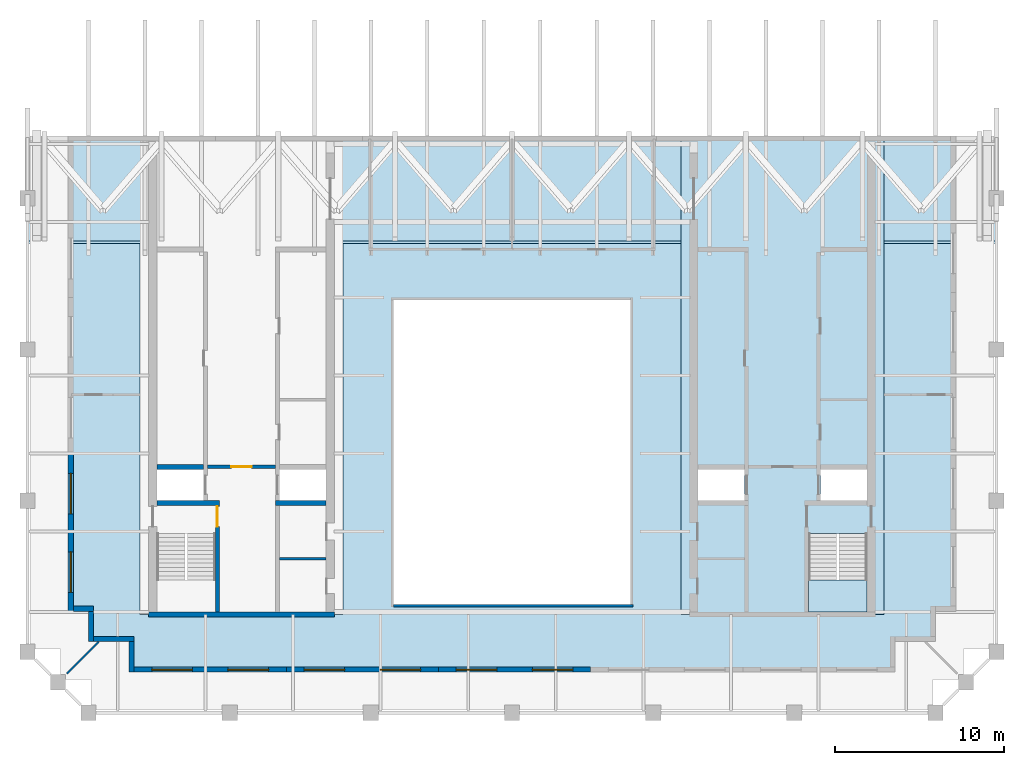
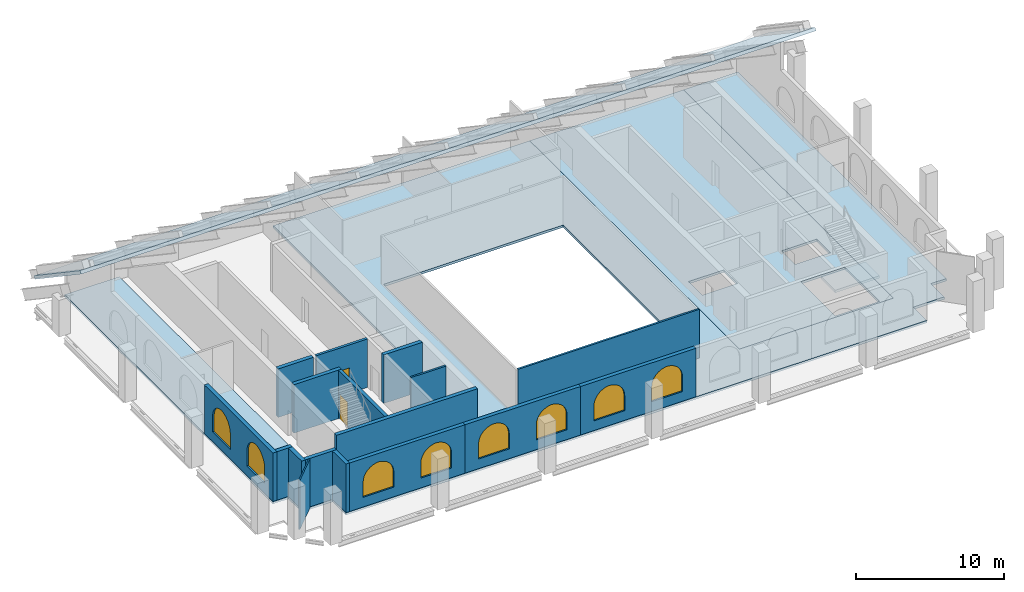
# One storey, part 2 of 6: 17 walls, 8 windows, 4 slabs, 2 doors, 10 openings, 1 element without a shape of its own.
"""IFC4 building model written with IfcOpenShell, lengths in metres."""

from ifc_helpers import new_model, si_unit, direction, frame, frame_2d, origin, place, context, subcontext, project, spatial, polyline, rectangle, outline, extrude, material, layer, layer_set, type_object, element, fill, aggregate, save


model = new_model("IFC4")

# Units and contexts
model_context = context("Model", 3, precision=1e-05, world=origin(), true_north=direction((0.0, 1.0)))
body_context = subcontext(model_context, "Body", "Model", "MODEL_VIEW")
ifc_project = project(units=[si_unit("LENGTHUNIT", "METRE"), si_unit("AREAUNIT", "SQUARE_METRE"), si_unit("VOLUMEUNIT", "CUBIC_METRE"), si_unit("PLANEANGLEUNIT", "RADIAN"), si_unit("MASSUNIT", "GRAM", prefix="KILO")], contexts=[model_context])

# Site, building, storey
site_placement = place(None, origin())
site = spatial("IfcSite", under=ifc_project, at=site_placement, CompositionType="ELEMENT")
building_placement = place(site_placement, origin())
building = spatial("IfcBuilding", under=site, at=building_placement, Name="Ogive Exchange Tower", CompositionType="ELEMENT")
storey_placement = place(building_placement, frame((0.0, 0.0, 390.0)))
storey = spatial("IfcBuildingStorey", under=building, at=storey_placement, Name="C06", CompositionType="ELEMENT", Elevation=390.0)

# Slabs
ifc_material_1 = material(Name="Concrete C50/60", Category="concrete")
ifc_layer_1 = layer(ifc_material_1, 0.199951171875)
ifc_layer_set_1 = layer_set([ifc_layer_1], Name="Composite floor slab 200")
slab_type_1 = type_object("IfcSlabType", Name="Composite floor slab 200", PredefinedType="FLOOR", material=ifc_layer_set_1)
slab_1_placement = place(storey_placement, frame((0.0, 0.0, -0.199951171875)))
element("IfcSlab", 1, at=slab_1_placement, inside=storey, type_object=slab_type_1, Name="Composite floor slab", PredefinedType="FLOOR", context=body_context, shape_type="SweptSolid", body=[
    extrude(outline(polyline([(-24.449951171875, -2.39990234375), (-24.449951171875, -2.39990234375), (-26.25, -2.39990234375), (-26.25, 25.720947265625), (-22.0, 25.720947265625), (-22.0, -2.60009765625), (-10.0, -2.60009765625), (-10.0, 25.720947265625), (10.0, 25.720947265625), (10.0, -2.60009765625), (22.0, -2.60009765625), (22.0, 25.720947265625), (26.25, 25.720947265625), (26.25, -2.39990234375), (24.449951171875, -2.39990234375), (24.449951171875, -2.39990234375), (25.050048828125, -2.39990234375), (25.050048828125, -4.199951171875), (24.449951171875, -4.199951171875), (24.449951171875, -4.199951171875), (22.64990234375, -4.199951171875), (22.64990234375, -6.0), (-22.64990234375, -6.0), (-22.64990234375, -4.199951171875), (-24.449951171875, -4.199951171875), (-24.449951171875, -4.199951171875), (-25.050048828125, -4.199951171875), (-25.050048828125, -2.39990234375), (-24.449951171875, -2.39990234375)]), holes=[polyline([(7.0, -2.0), (7.0, 16.0), (-7.0, 16.0), (-7.0, -2.0), (7.0, -2.0)])]), origin(), (0.0, 0.0, 1.0), 0.199951171875),
])
ifc_material_2 = material(Name="Concrete C70/85", Category="concrete")
ifc_layer_2 = layer(ifc_material_2, 0.199951171875)
ifc_layer_set_2 = layer_set([ifc_layer_2], Name="Core floor slab 200")
slab_type_2 = type_object("IfcSlabType", Name="Core floor slab 200", PredefinedType="FLOOR", material=ifc_layer_set_2)
slab_2_placement = place(storey_placement, frame((0.0, 0.0, -0.199951171875)))
element("IfcSlab", 2, at=slab_2_placement, inside=storey, type_object=slab_type_2, Name="Core floor slab", PredefinedType="FLOOR", context=body_context, shape_type="SweptSolid", body=[
    extrude(outline(polyline([(10.0, -2.60009765625), (10.0, 25.720947265625), (22.0, 25.720947265625), (22.0, -2.60009765625), (10.0, -2.60009765625)]), holes=[polyline([(17.550048828125, 2.196044921875), (17.550048828125, -2.449951171875), (21.0, -2.449951171875), (21.0, 2.196044921875), (17.550048828125, 2.196044921875)]), polyline([(11.0, 5.992919921875), (11.0, 4.14990234375), (13.75, 4.14990234375), (13.75, 5.992919921875), (11.0, 5.992919921875)]), polyline([(18.25, 5.992919921875), (18.25, 4.14990234375), (21.0, 4.14990234375), (21.0, 5.992919921875), (18.25, 5.992919921875)])]), origin(), (0.0, 0.0, 1.0), 0.199951171875),
])
ifc_material_3 = material(Name="Precast concrete C40/50", Category="concrete")
ifc_layer_3 = layer(ifc_material_3, 0.25)
ifc_layer_set_3 = layer_set([ifc_layer_3], Name="Crown roof plane 250")
slab_type_3 = type_object("IfcSlabType", Name="Crown roof plane 250", PredefinedType="ROOF", material=ifc_layer_set_3)
slab_3_placement = place(storey_placement, frame((-28.64990234375, 19.494140625, 6.60009765625), z_axis=(0.0, 0.559207654295, 0.829027622808), x_axis=(0.0, 0.829027622808, -0.559207654295)))
element("IfcSlab", 3, at=slab_3_placement, inside=storey, type_object=slab_type_3, Name="Crown roof plane", PredefinedType="ROOF", context=body_context, shape_type="SweptSolid", body=[
    extrude(outline(polyline([(0.0, 0.0), (7.510976075243388, 0.0), (7.510976075243388, -57.2998046875), (0.0, -57.2998046875), (0.0, 0.0)])), origin(), (0.0, 0.0, -1.0), 0.25),
])

# Stair, slab
ifc_material_4 = material(Name="Concrete C40/50", Category="concrete")
stair_type = type_object("IfcStairType", Name="Exit stair 1650 wide", PredefinedType="HALF_TURN_STAIR", material=ifc_material_4)
stair_placement = place(storey_placement, origin())
stair = element("IfcStair", 4, at=stair_placement, inside=storey, type_object=stair_type, Name="C06 exit stair ST3", PredefinedType="HALF_TURN_STAIR")
ifc_layer_4 = layer(ifc_material_4, 0.199951171875)
ifc_layer_set_4 = layer_set([ifc_layer_4], Name="Stair landing 200 slab")
slab_type_4 = type_object("IfcSlabType", Name="Stair landing 200 slab", PredefinedType="LANDING", material=ifc_layer_set_4)
slab_4_placement = place(storey_placement, frame((0.0, 0.0, 1.89990234375)))
slab_4 = element("IfcSlab", 5, at=slab_4_placement, type_object=slab_type_4, Name="ST3 landing 1", PredefinedType="LANDING", context=body_context, shape_type="SweptSolid", body=[
    extrude(outline(polyline([(17.550048828125, -0.550048828125), (17.550048828125, -2.449951171875), (21.0, -2.449951171875), (21.0, -0.550048828125), (17.550048828125, -0.550048828125)])), origin(), (0.0, 0.0, 1.0), 0.2001953125),
])
aggregate(stair, [slab_4])

# Walls
ifc_material_5 = material(Name="Gypsum board partition")
ifc_layer_5 = layer(ifc_material_5, 0.14990234375)
ifc_layer_set_5 = layer_set([ifc_layer_5], Name="Core room partition 150 gypsum")
wall_type_1 = type_object("IfcWallType", Name="Core room partition 150 gypsum", PredefinedType="PARTITIONING", material=ifc_layer_set_5)
wall_1_placement = place(storey_placement, frame((-13.75, 0.699951171875, 0.0), z_axis=(0.0, 0.0, 1.0), x_axis=(1.0, 0.0, 0.0)))
element("IfcWall", 6, at=wall_1_placement, inside=storey, type_object=wall_type_1, Name="W south room partition", PredefinedType="PARTITIONING", context=body_context, shape_type="SweptSolid", body=[
    extrude(rectangle(XDim=2.75, YDim=0.14990234375, at=frame_2d((1.375, 0.0))), origin(), (0.0, 0.0, 1.0), 4.0),
])
ifc_material_6 = material(Name="Fire-resisting glass in steel frame", Category="steel")
ifc_layer_6 = layer(ifc_material_6, 0.14990234375)
ifc_layer_set_6 = layer_set([ifc_layer_6], Name="Fire-rated glazed wall 150")
wall_type_2 = type_object("IfcWallType", Name="Fire-rated glazed wall 150", PredefinedType="STANDARD", material=ifc_layer_set_6)
wall_2_placement = place(storey_placement, frame((7.14990234375, -2.074951171875, 0.0), z_axis=(0.0, 0.0, 1.0), x_axis=(-1.0, 0.0, 0.0)))
element("IfcWall", 7, at=wall_2_placement, inside=storey, type_object=wall_type_2, Name="Nave enclosure wall 4", PredefinedType="STANDARD", context=body_context, shape_type="SweptSolid", body=[
    extrude(rectangle(XDim=14.14990234375, YDim=0.14990234375, at=frame_2d((7.074951171875, 0.0))), origin(), (0.0, 0.0, 1.0), 4.0),
])
ifc_material_7 = material(Name="Laminated safety glass in steel frame", Category="steel")
ifc_layer_7 = layer(ifc_material_7, 0.10009765625)
ifc_layer_set_7 = layer_set([ifc_layer_7], Name="Loggia end screen 100")
wall_type_3 = type_object("IfcWallType", Name="Loggia end screen 100", PredefinedType="STANDARD", material=ifc_layer_set_7)
wall_3_placement = place(storey_placement, frame((-24.449951171875, -4.199951171875, -0.050048828125), z_axis=(0.0, 0.0, 1.0), x_axis=(-0.707106781187, -0.707106781187, 0.0)))
element("IfcWall", 8, at=wall_3_placement, inside=storey, type_object=wall_type_3, Name="Loggia end screen C4", PredefinedType="STANDARD", context=body_context, shape_type="SweptSolid", body=[
    extrude(rectangle(XDim=2.667236328125, YDim=0.10009765625, at=frame_2d((1.33349609375, 0.0))), origin(), (0.0, 0.0, 1.0), 4.050048828125),
])

# Wall, opening, door
ifc_layer_8 = layer(ifc_material_2, 0.199951171875)
ifc_layer_set_8 = layer_set([ifc_layer_8], Name="RC core wall 200 C70/85")
wall_type_4 = type_object("IfcWallType", Name="RC core wall 200 C70/85", PredefinedType="SHEAR", material=ifc_layer_set_8)
wall_4_placement = place(storey_placement, frame((-18.0, 6.142822265625, 0.0), z_axis=(0.0, 0.0, 1.0), x_axis=(1.0, 0.0, 0.0)))
wall_4 = element("IfcWall", 9, at=wall_4_placement, inside=storey, type_object=wall_type_4, Name="W firefighting lobby wall", PredefinedType="SHEAR", context=body_context, shape_type="SweptSolid", body=[
    extrude(rectangle(XDim=4.0, YDim=0.199951171875, at=frame_2d((2.0, 0.0))), origin(), (0.0, 0.0, 1.0), 4.0),
])
opening_1_placement = place(wall_4_placement, frame((1.39990234375, 0.0, 0.0)))
opening_1 = element("IfcOpeningElement", 10, at=opening_1_placement, cuts=wall_4, Name="Opening C06-C06", PredefinedType="OPENING", context=body_context, shape_type="SweptSolid", body=[
    extrude(rectangle(XDim=1.199951171875, YDim=2.10009765625, at=frame_2d((0.60009765625, 1.050048828125))), frame((0.0, 0.10986328125, 0.0), z_axis=(0.0, -1.0, 0.0), x_axis=(1.0, 0.0, 0.0)), (0.0, 0.0, 1.0), 0.219970703125),
])
ifc_material_8 = material(Name="Steel fire door", Category="steel")
door_type_1 = type_object("IfcDoorType", Name="Firefighting lobby door FD60 1200 x 2100", OperationType="NOTDEFINED", PredefinedType="DOOR", material=ifc_material_8)
door_1_placement = place(opening_1_placement, frame((1.199951171875, 0.0, 0.0), z_axis=(0.0, 0.0, 1.0), x_axis=(-1.0, 0.0, 0.0)))
door_1 = element("IfcDoor", 11, at=door_1_placement, inside=storey, type_object=door_type_1, Name="Firefighting lobby door", ObjectType="CD3", OperationType="SINGLE_SWING_RIGHT", OverallHeight=2.10009765625, OverallWidth=1.199951171875, PredefinedType="DOOR", context=body_context, shape_type="SweptSolid", body=[
    extrude(rectangle(XDim=1.199951171875, YDim=2.10009765625, at=frame_2d((0.60009765625, 1.050048828125))), frame((0.0, 0.02490234375, 0.0), z_axis=(0.0, -1.0, 0.0), x_axis=(1.0, 0.0, 0.0)), (0.0, 0.0, 1.0), 0.050048828125),
])
fill(opening_1, door_1)

ifc_layer_9 = layer(ifc_material_2, 0.25)
ifc_layer_set_9 = layer_set([ifc_layer_9], Name="RC core wall 250 C70/85")
wall_type_5 = type_object("IfcWallType", Name="RC core wall 250 C70/85", PredefinedType="SHEAR", material=ifc_layer_set_9)
wall_5_placement = place(storey_placement, frame((-17.425048828125, -2.449951171875, 0.0), z_axis=(0.0, 0.0, 1.0), x_axis=(0.0, 1.0, 0.0)))
wall_5 = element("IfcWall", 12, at=wall_5_placement, inside=storey, type_object=wall_type_5, Name="W stair S front wall", PredefinedType="SHEAR", context=body_context, shape_type="SweptSolid", body=[
    extrude(rectangle(XDim=6.300048828125, YDim=0.25, at=frame_2d((3.14990234375, 0.0))), origin(), (0.0, 0.0, 1.0), 4.0),
])
opening_2_placement = place(wall_5_placement, frame((5.050048828125, 0.0, 0.0)))
opening_2 = element("IfcOpeningElement", 13, at=opening_2_placement, cuts=wall_5, Name="Opening C06-C08", PredefinedType="OPENING", context=body_context, shape_type="SweptSolid", body=[
    extrude(rectangle(XDim=1.199951171875, YDim=2.10009765625, at=frame_2d((0.60009765625, 1.050048828125))), frame((0.0, 0.135009765625, 0.0), z_axis=(0.0, -1.0, 0.0), x_axis=(1.0, 0.0, 0.0)), (0.0, 0.0, 1.0), 0.27001953125),
])
door_type_2 = type_object("IfcDoorType", Name="Stair door FD90 1200 x 2100", OperationType="NOTDEFINED", PredefinedType="DOOR", material=ifc_material_8)
door_2_placement = place(opening_2_placement, origin())
door_2 = element("IfcDoor", 14, at=door_2_placement, inside=storey, type_object=door_type_2, Name="Stair door", ObjectType="CD5", OperationType="SINGLE_SWING_LEFT", OverallHeight=2.10009765625, OverallWidth=1.199951171875, PredefinedType="DOOR", context=body_context, shape_type="SweptSolid", body=[
    extrude(rectangle(XDim=1.199951171875, YDim=2.10009765625, at=frame_2d((0.60009765625, 1.050048828125))), frame((0.0, 0.02490234375, 0.0), z_axis=(0.0, -1.0, 0.0), x_axis=(1.0, 0.0, 0.0)), (0.0, 0.0, 1.0), 0.050048828125),
])
fill(opening_2, door_2)

# Walls
ifc_layer_10 = layer(ifc_material_2, 0.300048828125)
ifc_layer_set_10 = layer_set([ifc_layer_10], Name="RC core wall 300 C70/85")
wall_type_6 = type_object("IfcWallType", Name="RC core wall 300 C70/85", PredefinedType="SHEAR", material=ifc_layer_set_10)
wall_6_placement = place(storey_placement, frame((-21.5, -2.60009765625, 0.0), z_axis=(0.0, 0.0, 1.0), x_axis=(1.0, 0.0, 0.0)))
element("IfcWall", 15, at=wall_6_placement, inside=storey, type_object=wall_type_6, Name="W south end wall", PredefinedType="SHEAR", context=body_context, shape_type="SweptSolid", body=[
    extrude(rectangle(XDim=11.0, YDim=0.300048828125, at=frame_2d((5.5, 0.0))), origin(), (0.0, 0.0, 1.0), 4.0),
])
wall_7_placement = place(storey_placement, frame((-21.0, 4.0, 0.0), z_axis=(0.0, 0.0, 1.0), x_axis=(1.0, 0.0, 0.0)))
element("IfcWall", 16, at=wall_7_placement, inside=storey, type_object=wall_type_6, Name="W stair S north wall", PredefinedType="SHEAR", context=body_context, shape_type="SweptSolid", body=[
    extrude(rectangle(XDim=3.699951171875, YDim=0.300048828125, at=frame_2d((1.85009765625, 0.0))), origin(), (0.0, 0.0, 1.0), 4.0),
])
wall_8_placement = place(storey_placement, frame((-21.0, 6.142822265625, 0.0), z_axis=(0.0, 0.0, 1.0), x_axis=(1.0, 0.0, 0.0)))
element("IfcWall", 17, at=wall_8_placement, inside=storey, type_object=wall_type_6, Name="W row A divider 1", PredefinedType="SHEAR", context=body_context, shape_type="SweptSolid", body=[
    extrude(rectangle(XDim=2.75, YDim=0.300048828125, at=frame_2d((1.375, 0.0))), origin(), (0.0, 0.0, 1.0), 4.0),
])
wall_9_placement = place(storey_placement, frame((-14.0, 4.0, 0.0), z_axis=(0.0, 0.0, 1.0), x_axis=(1.0, 0.0, 0.0)))
element("IfcWall", 18, at=wall_9_placement, inside=storey, type_object=wall_type_6, Name="W row B divider 0", PredefinedType="SHEAR", context=body_context, shape_type="SweptSolid", body=[
    extrude(rectangle(XDim=3.0, YDim=0.300048828125, at=frame_2d((1.5, 0.0))), origin(), (0.0, 0.0, 1.0), 4.0),
])
ifc_layer_11 = layer(ifc_material_3, 0.300048828125)
ifc_layer_set_11 = layer_set([ifc_layer_11], Name="Zinc-clad crown wall 300")
wall_type_7 = type_object("IfcWallType", Name="Zinc-clad crown wall 300", PredefinedType="STANDARD", material=ifc_layer_set_11)
wall_10_placement = place(storey_placement, frame((-24.89990234375, -2.39990234375, 0.0), z_axis=(0.0, 0.0, 1.0), x_axis=(0.0, -1.0, 0.0)))
element("IfcWall", 19, at=wall_10_placement, inside=storey, type_object=wall_type_7, Name="Crown wall 1", PredefinedType="STANDARD", context=body_context, shape_type="SweptSolid", body=[
    extrude(rectangle(XDim=1.800048828125, YDim=0.300048828125, at=frame_2d((0.89990234375, 0.0))), origin(), (0.0, 0.0, 1.0), 4.0),
])
wall_11_placement = place(storey_placement, frame((-24.75, -4.050048828125, 0.0), z_axis=(0.0, 0.0, 1.0), x_axis=(1.0, 0.0, 0.0)))
element("IfcWall", 20, at=wall_11_placement, inside=storey, type_object=wall_type_7, Name="Crown wall 2", PredefinedType="STANDARD", context=body_context, shape_type="SweptSolid", body=[
    extrude(rectangle(XDim=2.39990234375, YDim=0.300048828125, at=frame_2d((1.199951171875, 0.0))), origin(), (0.0, 0.0, 1.0), 4.0),
])
wall_12_placement = place(storey_placement, frame((-22.5, -4.199951171875, 0.0), z_axis=(0.0, 0.0, 1.0), x_axis=(0.0, -1.0, 0.0)))
element("IfcWall", 21, at=wall_12_placement, inside=storey, type_object=wall_type_7, Name="Crown wall 3", PredefinedType="STANDARD", context=body_context, shape_type="SweptSolid", body=[
    extrude(rectangle(XDim=1.800048828125, YDim=0.300048828125, at=frame_2d((0.89990234375, 0.0))), origin(), (0.0, 0.0, 1.0), 4.0),
])

# Wall, openings, windows
wall_13_placement = place(storey_placement, frame((-22.35009765625, -5.85009765625, 0.0), z_axis=(0.0, 0.0, 1.0), x_axis=(1.0, 0.0, 0.0)))
wall_13 = element("IfcWall", 22, at=wall_13_placement, inside=storey, type_object=wall_type_7, Name="Crown wall 4", PredefinedType="STANDARD", context=body_context, shape_type="SweptSolid", body=[
    extrude(rectangle(XDim=9.0, YDim=0.300048828125, at=frame_2d((4.5, 0.0))), origin(), (0.0, 0.0, 1.0), 4.0),
])
opening_3_placement = place(wall_13_placement, frame((1.050048828125, 0.0, 0.800048828125)))
opening_3 = element("IfcOpeningElement", 23, at=opening_3_placement, cuts=wall_13, Name="Opening WC25", PredefinedType="OPENING", context=body_context, shape_type="SweptSolid", body=[
    extrude(outline(polyline([(0.0, 0.0), (2.39990234375, 0.0), (2.39990234375, 1.25), (2.377197265625, 1.48779296875), (2.3095703125, 1.717041015625), (2.19970703125, 1.928955078125), (2.05126953125, 2.116455078125), (1.8701171875, 2.272216796875), (1.662841796875, 2.390625), (1.4365234375, 2.467529296875), (1.199951171875, 2.5), (0.96337890625, 2.467529296875), (0.737060546875, 2.390625), (0.52978515625, 2.272216796875), (0.3486328125, 2.116455078125), (0.2001953125, 1.928955078125), (0.09033203125, 1.717041015625), (0.022705078125, 1.48779296875), (0.0, 1.25), (0.0, 0.0)])), frame((0.0, 0.159912109375, 0.0), z_axis=(0.0, -1.0, 0.0), x_axis=(1.0, 0.0, 0.0)), (0.0, 0.0, 1.0), 0.320068359375),
])
opening_4_placement = place(wall_13_placement, frame((5.550048828125, 0.0, 0.800048828125)))
opening_4 = element("IfcOpeningElement", 24, at=opening_4_placement, cuts=wall_13, Name="Opening WC25", PredefinedType="OPENING", context=body_context, shape_type="SweptSolid", body=[
    extrude(outline(polyline([(0.0, 0.0), (2.39990234375, 0.0), (2.39990234375, 1.25), (2.377197265625, 1.48779296875), (2.3095703125, 1.717041015625), (2.19970703125, 1.928955078125), (2.05126953125, 2.116455078125), (1.8701171875, 2.272216796875), (1.662841796875, 2.390625), (1.4365234375, 2.467529296875), (1.199951171875, 2.5), (0.96337890625, 2.467529296875), (0.737060546875, 2.390625), (0.52978515625, 2.272216796875), (0.3486328125, 2.116455078125), (0.2001953125, 1.928955078125), (0.09033203125, 1.717041015625), (0.022705078125, 1.48779296875), (0.0, 1.25), (0.0, 0.0)])), frame((0.0, 0.159912109375, 0.0), z_axis=(0.0, -1.0, 0.0), x_axis=(1.0, 0.0, 0.0)), (0.0, 0.0, 1.0), 0.320068359375),
])
ifc_material_9 = material(Name="Clear glass in bronze frame", Category="glass")
window_type = type_object("IfcWindowType", Name="Crown lancet window 2400 x 2500", PartitioningType="DOUBLE_PANEL_VERTICAL", PredefinedType="WINDOW", material=ifc_material_9)
window_1_placement = place(opening_3_placement, origin())
window_1 = element("IfcWindow", 25, at=window_1_placement, inside=storey, type_object=window_type, Name="Crown lancet 4.1", OverallHeight=2.5, OverallWidth=2.39990234375, PartitioningType="DOUBLE_PANEL_VERTICAL", PredefinedType="WINDOW", context=body_context, shape_type="SweptSolid", body=[
    extrude(outline(polyline([(0.0, 0.0), (2.39990234375, 0.0), (2.39990234375, 1.25), (2.377197265625, 1.48779296875), (2.3095703125, 1.717041015625), (2.19970703125, 1.928955078125), (2.05126953125, 2.116455078125), (1.8701171875, 2.272216796875), (1.662841796875, 2.390625), (1.4365234375, 2.467529296875), (1.199951171875, 2.5), (0.96337890625, 2.467529296875), (0.737060546875, 2.390625), (0.52978515625, 2.272216796875), (0.3486328125, 2.116455078125), (0.2001953125, 1.928955078125), (0.09033203125, 1.717041015625), (0.022705078125, 1.48779296875), (0.0, 1.25), (0.0, 0.0)])), frame((0.0, 0.030029296875, 0.0), z_axis=(0.0, -1.0, 0.0), x_axis=(1.0, 0.0, 0.0)), (0.0, 0.0, 1.0), 0.06005859375),
])
fill(opening_3, window_1)
window_2_placement = place(opening_4_placement, origin())
window_2 = element("IfcWindow", 26, at=window_2_placement, inside=storey, type_object=window_type, Name="Crown lancet 4.2", OverallHeight=2.5, OverallWidth=2.39990234375, PartitioningType="DOUBLE_PANEL_VERTICAL", PredefinedType="WINDOW", context=body_context, shape_type="SweptSolid", body=[
    extrude(outline(polyline([(0.0, 0.0), (2.39990234375, 0.0), (2.39990234375, 1.25), (2.377197265625, 1.48779296875), (2.3095703125, 1.717041015625), (2.19970703125, 1.928955078125), (2.05126953125, 2.116455078125), (1.8701171875, 2.272216796875), (1.662841796875, 2.390625), (1.4365234375, 2.467529296875), (1.199951171875, 2.5), (0.96337890625, 2.467529296875), (0.737060546875, 2.390625), (0.52978515625, 2.272216796875), (0.3486328125, 2.116455078125), (0.2001953125, 1.928955078125), (0.09033203125, 1.717041015625), (0.022705078125, 1.48779296875), (0.0, 1.25), (0.0, 0.0)])), frame((0.0, 0.030029296875, 0.0), z_axis=(0.0, -1.0, 0.0), x_axis=(1.0, 0.0, 0.0)), (0.0, 0.0, 1.0), 0.06005859375),
])
fill(opening_4, window_2)

wall_14_placement = place(storey_placement, frame((-13.35009765625, -5.85009765625, 0.0), z_axis=(0.0, 0.0, 1.0), x_axis=(1.0, 0.0, 0.0)))
wall_14 = element("IfcWall", 27, at=wall_14_placement, inside=storey, type_object=wall_type_7, Name="Crown wall 5", PredefinedType="STANDARD", context=body_context, shape_type="SweptSolid", body=[
    extrude(rectangle(XDim=9.0, YDim=0.300048828125, at=frame_2d((4.5, 0.0))), origin(), (0.0, 0.0, 1.0), 4.0),
])
opening_5_placement = place(wall_14_placement, frame((1.050048828125, 0.0, 0.800048828125)))
opening_5 = element("IfcOpeningElement", 28, at=opening_5_placement, cuts=wall_14, Name="Opening WC25", PredefinedType="OPENING", context=body_context, shape_type="SweptSolid", body=[
    extrude(outline(polyline([(0.0, 0.0), (2.39990234375, 0.0), (2.39990234375, 1.25), (2.377197265625, 1.48779296875), (2.3095703125, 1.717041015625), (2.19970703125, 1.928955078125), (2.05126953125, 2.116455078125), (1.8701171875, 2.272216796875), (1.662841796875, 2.390625), (1.4365234375, 2.467529296875), (1.199951171875, 2.5), (0.96337890625, 2.467529296875), (0.737060546875, 2.390625), (0.52978515625, 2.272216796875), (0.3486328125, 2.116455078125), (0.2001953125, 1.928955078125), (0.09033203125, 1.717041015625), (0.022705078125, 1.48779296875), (0.0, 1.25), (0.0, 0.0)])), frame((0.0, 0.159912109375, 0.0), z_axis=(0.0, -1.0, 0.0), x_axis=(1.0, 0.0, 0.0)), (0.0, 0.0, 1.0), 0.320068359375),
])
opening_6_placement = place(wall_14_placement, frame((5.550048828125, 0.0, 0.800048828125)))
opening_6 = element("IfcOpeningElement", 29, at=opening_6_placement, cuts=wall_14, Name="Opening WC25", PredefinedType="OPENING", context=body_context, shape_type="SweptSolid", body=[
    extrude(outline(polyline([(0.0, 0.0), (2.39990234375, 0.0), (2.39990234375, 1.25), (2.377197265625, 1.48779296875), (2.3095703125, 1.717041015625), (2.19970703125, 1.928955078125), (2.05126953125, 2.116455078125), (1.8701171875, 2.272216796875), (1.662841796875, 2.390625), (1.4365234375, 2.467529296875), (1.199951171875, 2.5), (0.96337890625, 2.467529296875), (0.737060546875, 2.390625), (0.52978515625, 2.272216796875), (0.3486328125, 2.116455078125), (0.2001953125, 1.928955078125), (0.09033203125, 1.717041015625), (0.022705078125, 1.48779296875), (0.0, 1.25), (0.0, 0.0)])), frame((0.0, 0.159912109375, 0.0), z_axis=(0.0, -1.0, 0.0), x_axis=(1.0, 0.0, 0.0)), (0.0, 0.0, 1.0), 0.320068359375),
])
window_3_placement = place(opening_5_placement, origin())
window_3 = element("IfcWindow", 30, at=window_3_placement, inside=storey, type_object=window_type, Name="Crown lancet 5.1", OverallHeight=2.5, OverallWidth=2.39990234375, PartitioningType="DOUBLE_PANEL_VERTICAL", PredefinedType="WINDOW", context=body_context, shape_type="SweptSolid", body=[
    extrude(outline(polyline([(0.0, 0.0), (2.39990234375, 0.0), (2.39990234375, 1.25), (2.377197265625, 1.48779296875), (2.3095703125, 1.717041015625), (2.19970703125, 1.928955078125), (2.05126953125, 2.116455078125), (1.8701171875, 2.272216796875), (1.662841796875, 2.390625), (1.4365234375, 2.467529296875), (1.199951171875, 2.5), (0.96337890625, 2.467529296875), (0.737060546875, 2.390625), (0.52978515625, 2.272216796875), (0.3486328125, 2.116455078125), (0.2001953125, 1.928955078125), (0.09033203125, 1.717041015625), (0.022705078125, 1.48779296875), (0.0, 1.25), (0.0, 0.0)])), frame((0.0, 0.030029296875, 0.0), z_axis=(0.0, -1.0, 0.0), x_axis=(1.0, 0.0, 0.0)), (0.0, 0.0, 1.0), 0.06005859375),
])
fill(opening_5, window_3)
window_4_placement = place(opening_6_placement, origin())
window_4 = element("IfcWindow", 31, at=window_4_placement, inside=storey, type_object=window_type, Name="Crown lancet 5.2", OverallHeight=2.5, OverallWidth=2.39990234375, PartitioningType="DOUBLE_PANEL_VERTICAL", PredefinedType="WINDOW", context=body_context, shape_type="SweptSolid", body=[
    extrude(outline(polyline([(0.0, 0.0), (2.39990234375, 0.0), (2.39990234375, 1.25), (2.377197265625, 1.48779296875), (2.3095703125, 1.717041015625), (2.19970703125, 1.928955078125), (2.05126953125, 2.116455078125), (1.8701171875, 2.272216796875), (1.662841796875, 2.390625), (1.4365234375, 2.467529296875), (1.199951171875, 2.5), (0.96337890625, 2.467529296875), (0.737060546875, 2.390625), (0.52978515625, 2.272216796875), (0.3486328125, 2.116455078125), (0.2001953125, 1.928955078125), (0.09033203125, 1.717041015625), (0.022705078125, 1.48779296875), (0.0, 1.25), (0.0, 0.0)])), frame((0.0, 0.030029296875, 0.0), z_axis=(0.0, -1.0, 0.0), x_axis=(1.0, 0.0, 0.0)), (0.0, 0.0, 1.0), 0.06005859375),
])
fill(opening_6, window_4)

wall_15_placement = place(storey_placement, frame((-4.35009765625, -5.85009765625, 0.0), z_axis=(0.0, 0.0, 1.0), x_axis=(1.0, 0.0, 0.0)))
wall_15 = element("IfcWall", 32, at=wall_15_placement, inside=storey, type_object=wall_type_7, Name="Crown wall 6", PredefinedType="STANDARD", context=body_context, shape_type="SweptSolid", body=[
    extrude(rectangle(XDim=9.0, YDim=0.300048828125, at=frame_2d((4.5, 0.0))), origin(), (0.0, 0.0, 1.0), 4.0),
])
opening_7_placement = place(wall_15_placement, frame((1.050048828125, 0.0, 0.800048828125)))
opening_7 = element("IfcOpeningElement", 33, at=opening_7_placement, cuts=wall_15, Name="Opening WC25", PredefinedType="OPENING", context=body_context, shape_type="SweptSolid", body=[
    extrude(outline(polyline([(0.0, 0.0), (2.39990234375, 0.0), (2.39990234375, 1.25), (2.377197265625, 1.48779296875), (2.3095703125, 1.717041015625), (2.19970703125, 1.928955078125), (2.05126953125, 2.116455078125), (1.8701171875, 2.272216796875), (1.662841796875, 2.390625), (1.4365234375, 2.467529296875), (1.199951171875, 2.5), (0.96337890625, 2.467529296875), (0.737060546875, 2.390625), (0.52978515625, 2.272216796875), (0.3486328125, 2.116455078125), (0.2001953125, 1.928955078125), (0.09033203125, 1.717041015625), (0.022705078125, 1.48779296875), (0.0, 1.25), (0.0, 0.0)])), frame((0.0, 0.159912109375, 0.0), z_axis=(0.0, -1.0, 0.0), x_axis=(1.0, 0.0, 0.0)), (0.0, 0.0, 1.0), 0.320068359375),
])
opening_8_placement = place(wall_15_placement, frame((5.550048828125, 0.0, 0.800048828125)))
opening_8 = element("IfcOpeningElement", 34, at=opening_8_placement, cuts=wall_15, Name="Opening WC25", PredefinedType="OPENING", context=body_context, shape_type="SweptSolid", body=[
    extrude(outline(polyline([(0.0, 0.0), (2.39990234375, 0.0), (2.39990234375, 1.25), (2.377197265625, 1.48779296875), (2.3095703125, 1.717041015625), (2.19970703125, 1.928955078125), (2.05126953125, 2.116455078125), (1.8701171875, 2.272216796875), (1.662841796875, 2.390625), (1.4365234375, 2.467529296875), (1.199951171875, 2.5), (0.96337890625, 2.467529296875), (0.737060546875, 2.390625), (0.52978515625, 2.272216796875), (0.3486328125, 2.116455078125), (0.2001953125, 1.928955078125), (0.09033203125, 1.717041015625), (0.022705078125, 1.48779296875), (0.0, 1.25), (0.0, 0.0)])), frame((0.0, 0.159912109375, 0.0), z_axis=(0.0, -1.0, 0.0), x_axis=(1.0, 0.0, 0.0)), (0.0, 0.0, 1.0), 0.320068359375),
])
window_5_placement = place(opening_7_placement, origin())
window_5 = element("IfcWindow", 35, at=window_5_placement, inside=storey, type_object=window_type, Name="Crown lancet 6.1", OverallHeight=2.5, OverallWidth=2.39990234375, PartitioningType="DOUBLE_PANEL_VERTICAL", PredefinedType="WINDOW", context=body_context, shape_type="SweptSolid", body=[
    extrude(outline(polyline([(0.0, 0.0), (2.39990234375, 0.0), (2.39990234375, 1.25), (2.377197265625, 1.48779296875), (2.3095703125, 1.717041015625), (2.19970703125, 1.928955078125), (2.05126953125, 2.116455078125), (1.8701171875, 2.272216796875), (1.662841796875, 2.390625), (1.4365234375, 2.467529296875), (1.199951171875, 2.5), (0.96337890625, 2.467529296875), (0.737060546875, 2.390625), (0.52978515625, 2.272216796875), (0.3486328125, 2.116455078125), (0.2001953125, 1.928955078125), (0.09033203125, 1.717041015625), (0.022705078125, 1.48779296875), (0.0, 1.25), (0.0, 0.0)])), frame((0.0, 0.030029296875, 0.0), z_axis=(0.0, -1.0, 0.0), x_axis=(1.0, 0.0, 0.0)), (0.0, 0.0, 1.0), 0.06005859375),
])
fill(opening_7, window_5)
window_6_placement = place(opening_8_placement, origin())
window_6 = element("IfcWindow", 36, at=window_6_placement, inside=storey, type_object=window_type, Name="Crown lancet 6.2", OverallHeight=2.5, OverallWidth=2.39990234375, PartitioningType="DOUBLE_PANEL_VERTICAL", PredefinedType="WINDOW", context=body_context, shape_type="SweptSolid", body=[
    extrude(outline(polyline([(0.0, 0.0), (2.39990234375, 0.0), (2.39990234375, 1.25), (2.377197265625, 1.48779296875), (2.3095703125, 1.717041015625), (2.19970703125, 1.928955078125), (2.05126953125, 2.116455078125), (1.8701171875, 2.272216796875), (1.662841796875, 2.390625), (1.4365234375, 2.467529296875), (1.199951171875, 2.5), (0.96337890625, 2.467529296875), (0.737060546875, 2.390625), (0.52978515625, 2.272216796875), (0.3486328125, 2.116455078125), (0.2001953125, 1.928955078125), (0.09033203125, 1.717041015625), (0.022705078125, 1.48779296875), (0.0, 1.25), (0.0, 0.0)])), frame((0.0, 0.030029296875, 0.0), z_axis=(0.0, -1.0, 0.0), x_axis=(1.0, 0.0, 0.0)), (0.0, 0.0, 1.0), 0.06005859375),
])
fill(opening_8, window_6)

wall_16_placement = place(storey_placement, frame((-26.10009765625, 6.87353515625, 0.0), z_axis=(0.0, 0.0, 1.0), x_axis=(0.0, -1.0, 0.0)))
wall_16 = element("IfcWall", 37, at=wall_16_placement, inside=storey, type_object=wall_type_7, Name="Crown wall 24", PredefinedType="STANDARD", context=body_context, shape_type="SweptSolid", body=[
    extrude(rectangle(XDim=9.2734375, YDim=0.300048828125, at=frame_2d((4.63671875, 0.0))), origin(), (0.0, 0.0, 1.0), 4.0),
])
opening_9_placement = place(wall_16_placement, frame((1.118408203125, 0.0, 0.800048828125)))
opening_9 = element("IfcOpeningElement", 38, at=opening_9_placement, cuts=wall_16, Name="Opening WC25", PredefinedType="OPENING", context=body_context, shape_type="SweptSolid", body=[
    extrude(outline(polyline([(0.0, 0.0), (2.39990234375, 0.0), (2.39990234375, 1.25), (2.377197265625, 1.48779296875), (2.3095703125, 1.717041015625), (2.19970703125, 1.928955078125), (2.05126953125, 2.116455078125), (1.8701171875, 2.272216796875), (1.662841796875, 2.390625), (1.4365234375, 2.467529296875), (1.199951171875, 2.5), (0.96337890625, 2.467529296875), (0.737060546875, 2.390625), (0.52978515625, 2.272216796875), (0.3486328125, 2.116455078125), (0.2001953125, 1.928955078125), (0.09033203125, 1.717041015625), (0.022705078125, 1.48779296875), (0.0, 1.25), (0.0, 0.0)])), frame((0.0, 0.159912109375, 0.0), z_axis=(0.0, -1.0, 0.0), x_axis=(1.0, 0.0, 0.0)), (0.0, 0.0, 1.0), 0.320068359375),
])
opening_10_placement = place(wall_16_placement, frame((5.755126953125, 0.0, 0.800048828125)))
opening_10 = element("IfcOpeningElement", 39, at=opening_10_placement, cuts=wall_16, Name="Opening WC25", PredefinedType="OPENING", context=body_context, shape_type="SweptSolid", body=[
    extrude(outline(polyline([(0.0, 0.0), (2.39990234375, 0.0), (2.39990234375, 1.25), (2.377197265625, 1.48779296875), (2.3095703125, 1.717041015625), (2.19970703125, 1.928955078125), (2.05126953125, 2.116455078125), (1.8701171875, 2.272216796875), (1.662841796875, 2.390625), (1.4365234375, 2.467529296875), (1.199951171875, 2.5), (0.96337890625, 2.467529296875), (0.737060546875, 2.390625), (0.52978515625, 2.272216796875), (0.3486328125, 2.116455078125), (0.2001953125, 1.928955078125), (0.09033203125, 1.717041015625), (0.022705078125, 1.48779296875), (0.0, 1.25), (0.0, 0.0)])), frame((0.0, 0.159912109375, 0.0), z_axis=(0.0, -1.0, 0.0), x_axis=(1.0, 0.0, 0.0)), (0.0, 0.0, 1.0), 0.320068359375),
])
window_7_placement = place(opening_9_placement, origin())
window_7 = element("IfcWindow", 40, at=window_7_placement, inside=storey, type_object=window_type, Name="Crown lancet 24.1", OverallHeight=2.5, OverallWidth=2.39990234375, PartitioningType="DOUBLE_PANEL_VERTICAL", PredefinedType="WINDOW", context=body_context, shape_type="SweptSolid", body=[
    extrude(outline(polyline([(0.0, 0.0), (2.39990234375, 0.0), (2.39990234375, 1.25), (2.377197265625, 1.48779296875), (2.3095703125, 1.717041015625), (2.19970703125, 1.928955078125), (2.05126953125, 2.116455078125), (1.8701171875, 2.272216796875), (1.662841796875, 2.390625), (1.4365234375, 2.467529296875), (1.199951171875, 2.5), (0.96337890625, 2.467529296875), (0.737060546875, 2.390625), (0.52978515625, 2.272216796875), (0.3486328125, 2.116455078125), (0.2001953125, 1.928955078125), (0.09033203125, 1.717041015625), (0.022705078125, 1.48779296875), (0.0, 1.25), (0.0, 0.0)])), frame((0.0, 0.030029296875, 0.0), z_axis=(0.0, -1.0, 0.0), x_axis=(1.0, 0.0, 0.0)), (0.0, 0.0, 1.0), 0.06005859375),
])
fill(opening_9, window_7)
window_8_placement = place(opening_10_placement, origin())
window_8 = element("IfcWindow", 41, at=window_8_placement, inside=storey, type_object=window_type, Name="Crown lancet 24.2", OverallHeight=2.5, OverallWidth=2.39990234375, PartitioningType="DOUBLE_PANEL_VERTICAL", PredefinedType="WINDOW", context=body_context, shape_type="SweptSolid", body=[
    extrude(outline(polyline([(0.0, 0.0), (2.39990234375, 0.0), (2.39990234375, 1.25), (2.377197265625, 1.48779296875), (2.3095703125, 1.717041015625), (2.19970703125, 1.928955078125), (2.05126953125, 2.116455078125), (1.8701171875, 2.272216796875), (1.662841796875, 2.390625), (1.4365234375, 2.467529296875), (1.199951171875, 2.5), (0.96337890625, 2.467529296875), (0.737060546875, 2.390625), (0.52978515625, 2.272216796875), (0.3486328125, 2.116455078125), (0.2001953125, 1.928955078125), (0.09033203125, 1.717041015625), (0.022705078125, 1.48779296875), (0.0, 1.25), (0.0, 0.0)])), frame((0.0, 0.030029296875, 0.0), z_axis=(0.0, -1.0, 0.0), x_axis=(1.0, 0.0, 0.0)), (0.0, 0.0, 1.0), 0.06005859375),
])
fill(opening_10, window_8)

# Wall
wall_17_placement = place(storey_placement, frame((-25.949951171875, -2.25, 0.0), z_axis=(0.0, 0.0, 1.0), x_axis=(1.0, 0.0, 0.0)))
element("IfcWall", 42, at=wall_17_placement, inside=storey, type_object=wall_type_7, Name="Crown wall 25", PredefinedType="STANDARD", context=body_context, shape_type="SweptSolid", body=[
    extrude(rectangle(XDim=1.199951171875, YDim=0.300048828125, at=frame_2d((0.60009765625, 0.0))), origin(), (0.0, 0.0, 1.0), 4.0),
])

save(model, "model.ifc")
